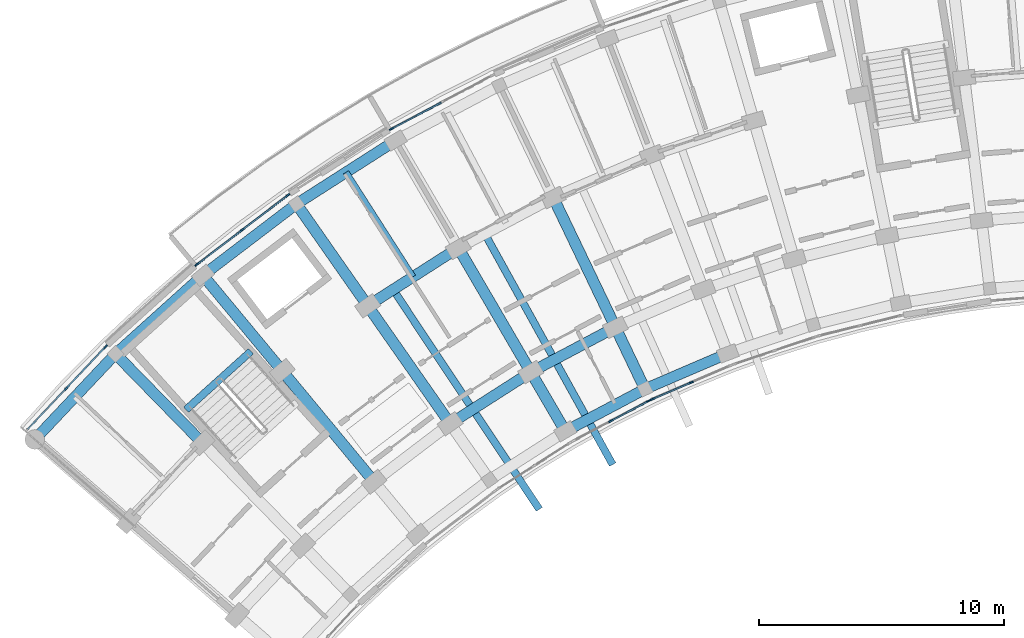
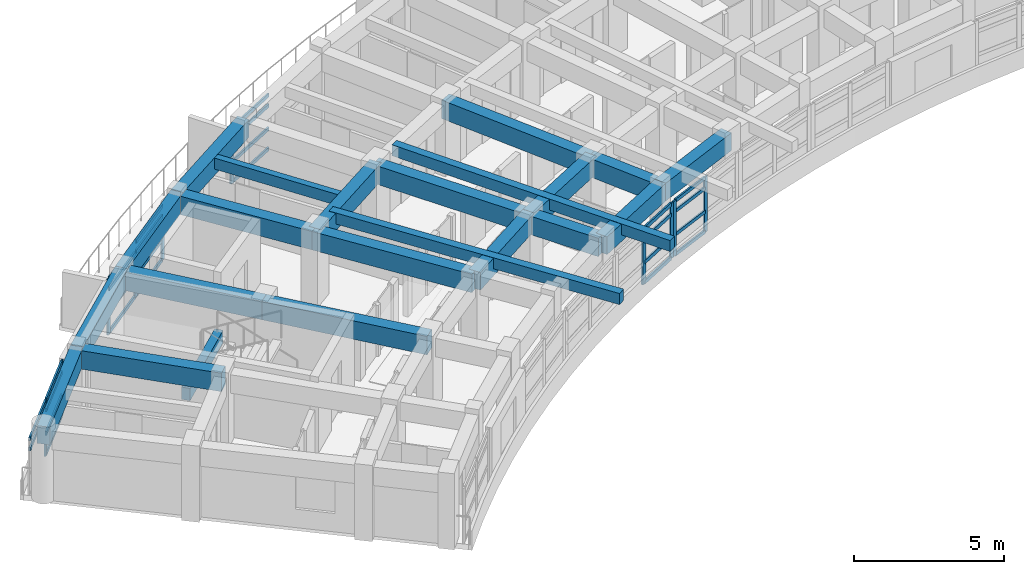
# One storey, part 15 of 70: 36 members, 22 beams, 5 elements without a shape of their own.
"""IFC4 building model written with IfcOpenShell, lengths in metres."""

from ifc_helpers import new_model, si_unit, direction, frame, origin, origin_2d, place, context, subcontext, project, spatial, rectangle, extrude, material, material_profile, profile_set, type_object, element, aggregate, save


model = new_model("IFC4")

# Units and contexts
model_context = context("Model", 3, precision=1e-05, world=origin(), true_north=direction((0.0, 1.0)))
body_context = subcontext(model_context, "Body", "Model", "MODEL_VIEW")
ifc_project = project(units=[si_unit("LENGTHUNIT", "METRE"), si_unit("AREAUNIT", "SQUARE_METRE"), si_unit("VOLUMEUNIT", "CUBIC_METRE"), si_unit("PLANEANGLEUNIT", "RADIAN"), si_unit("MASSUNIT", "GRAM", prefix="KILO")], contexts=[model_context])

# Site, building, storey
site_placement = place(None, origin())
site = spatial("IfcSite", under=ifc_project, at=site_placement, CompositionType="ELEMENT")
building_placement = place(site_placement, origin())
building = spatial("IfcBuilding", under=site, at=building_placement, Name="Zimvara Arc Housing Community", CompositionType="ELEMENT")
storey_placement = place(building_placement, frame((0.0, 0.0, 8.10009765625)))
storey = spatial("IfcBuildingStorey", under=building, at=storey_placement, Name="L02", CompositionType="ELEMENT", Elevation=8.10009765625)

# Beams
ifc_material_1 = material(Name="Concrete C40/50", Category="concrete")
ifc_material_profile_1 = material_profile(ifc_material_1, rectangle(XDim=0.25, YDim=0.449951171875, at=origin_2d()), Name="RC 250x450")
ifc_profile_set_1 = profile_set([ifc_material_profile_1], Name="Concrete C40/50")
beam_type_1 = type_object("IfcBeamType", Name="BM-RC-250x450", PredefinedType="JOIST", material=ifc_profile_set_1)
beam_1_placement = place(storey_placement, frame((16.0224609375, 89.776123046875, 2.65478515625), z_axis=(-0.539052331508, 0.842272274206, 0.0), x_axis=(-0.842272274206, -0.539052331508, 0.0)))
element("IfcBeam", 1, at=beam_1_placement, inside=storey, type_object=beam_type_1, Name="bm:blkA:L02:joist:b3", PredefinedType="JOIST", context=body_context, shape_type="SweptSolid", body=[
    extrude(rectangle(XDim=0.25, YDim=0.449951171875, at=origin_2d()), origin(), (0.0, 0.0, 1.0), 5.07568359375),
])
ifc_material_2 = material(Name="Concrete C40/50", Category="concrete")
ifc_material_profile_2 = material_profile(ifc_material_2, rectangle(XDim=0.300048828125, YDim=0.449951171875, at=origin_2d()), Name="RC 300x450")
ifc_profile_set_2 = profile_set([ifc_material_profile_2], Name="Concrete C40/50")
beam_type_2 = type_object("IfcBeamType", Name="BM-RC-300x450", PredefinedType="JOIST", material=ifc_profile_set_2)
for number, where, z_axis, x_axis, name in (
    (2, (15.188720703125, 89.285400390625, 2.664794921875), (0.55411687771, -0.832438878139, 0.0), (0.832438878139, 0.55411687771, 0.0), "bm:blkA:L02:cant_in:b3"),
    (3, (18.942138671875, 91.568359375, 2.664794921875), (0.484356901768, -0.874870499965, 0.0), (0.874870499965, 0.484356901768, 0.0), "bm:blkA:L02:cant_in:b4"),
):
    element("IfcBeam", number, at=place(storey_placement, frame(where, z_axis=z_axis, x_axis=x_axis)), inside=storey, type_object=beam_type_2, Name=name, PredefinedType="JOIST", context=body_context, shape_type="SweptSolid", body=[
        extrude(rectangle(XDim=0.300048828125, YDim=0.449951171875, at=origin_2d()), origin(), (0.0, 0.0, 1.0), 10.820068359375),
    ])
ifc_material_3 = material(Name="Concrete C40/50", Category="concrete")
ifc_material_profile_3 = material_profile(ifc_material_3, rectangle(XDim=0.300048828125, YDim=0.5, at=origin_2d()), Name="RC 300x500")
ifc_profile_set_3 = profile_set([ifc_material_profile_3], Name="Concrete C40/50")
beam_type_3 = type_object("IfcBeamType", Name="BM-RC-300x500", PredefinedType="BEAM", material=ifc_profile_set_3)
beam_2_placement = place(storey_placement, frame((9.39990234375, 86.734375, 1.2998046875), z_axis=(-0.743362151162, -0.668889162881, 0.0), x_axis=(0.668889162881, -0.743362151162, 0.0)))
element("IfcBeam", 4, at=beam_2_placement, inside=storey, type_object=beam_type_3, Name="bm:stair_trim:ST-A1:L02:mid", PredefinedType="BEAM", context=body_context, shape_type="SweptSolid", body=[
    extrude(rectangle(XDim=0.300048828125, YDim=0.5, at=origin_2d()), origin(), (0.0, 0.0, 1.0), 3.570068359375),
])
ifc_material_4 = material(Name="Concrete C40/50", Category="concrete")
ifc_material_profile_4 = material_profile(ifc_material_4, rectangle(XDim=0.43994140625, YDim=0.719970703125, at=origin_2d()), Name="RC 440x720")
ifc_profile_set_4 = profile_set([ifc_material_profile_4], Name="Concrete C40/50")
beam_type_4 = type_object("IfcBeamType", Name="BM-RC-440x720", PredefinedType="BEAM", material=ifc_profile_set_4)
beam_3_placement = place(storey_placement, frame((22.249267578125, 83.46435546875, 2.52001953125), z_axis=(0.883449220086, 0.468526920815, 0.0), x_axis=(-0.468526920815, 0.883449220086, 0.0)))
element("IfcBeam", 5, at=beam_3_placement, inside=storey, type_object=beam_type_4, Name="bm:blkA:L02:chord:r0:b4", PredefinedType="BEAM", context=body_context, shape_type="SweptSolid", body=[
    extrude(rectangle(XDim=0.43994140625, YDim=0.719970703125, at=origin_2d()), origin(), (0.0, 0.0, 1.0), 3.6845703125),
])
beam_4_placement = place(storey_placement, frame((25.50439453125, 85.190673828125, 2.52001953125), z_axis=(0.918705736243, 0.394942742932, 0.0), x_axis=(-0.394942742932, 0.918705736243, 0.0)))
element("IfcBeam", 6, at=beam_4_placement, inside=storey, type_object=beam_type_4, Name="bm:blkA:L02:chord:r0:b5", PredefinedType="BEAM", context=body_context, shape_type="SweptSolid", body=[
    extrude(rectangle(XDim=0.43994140625, YDim=0.719970703125, at=origin_2d()), origin(), (0.0, 0.0, 1.0), 3.684326171875),
])
beam_5_placement = place(storey_placement, frame((17.541748046875, 83.77294921875, 2.52001953125), z_axis=(0.842253269878, 0.539082024724, 0.0), x_axis=(-0.539082024724, 0.842253269878, 0.0)))
element("IfcBeam", 7, at=beam_5_placement, inside=storey, type_object=beam_type_4, Name="bm:blkA:L02:chord:r1:b3", PredefinedType="BEAM", context=body_context, shape_type="SweptSolid", body=[
    extrude(rectangle(XDim=0.43994140625, YDim=0.719970703125, at=origin_2d()), origin(), (0.0, 0.0, 1.0), 3.912841796875),
])
beam_6_placement = place(storey_placement, frame((20.83740234375, 85.88232421875, 2.52001953125), z_axis=(0.883438625159, 0.468546897948, 0.0), x_axis=(-0.468546897948, 0.883438625159, 0.0)))
element("IfcBeam", 8, at=beam_6_placement, inside=storey, type_object=beam_type_4, Name="bm:blkA:L02:chord:r1:b4", PredefinedType="BEAM", context=body_context, shape_type="SweptSolid", body=[
    extrude(rectangle(XDim=0.43994140625, YDim=0.719970703125, at=origin_2d()), origin(), (0.0, 0.0, 1.0), 3.9130859375),
])
beam_7_placement = place(storey_placement, frame((14.17236328125, 88.591796875, 2.52001953125), z_axis=(0.842242131326, 0.539099427025, 0.0), x_axis=(-0.539099427025, 0.842242131326, 0.0)))
element("IfcBeam", 9, at=beam_7_placement, inside=storey, type_object=beam_type_4, Name="bm:blkA:L02:chord:r2:b3", PredefinedType="BEAM", context=body_context, shape_type="SweptSolid", body=[
    extrude(rectangle(XDim=0.43994140625, YDim=0.719970703125, at=origin_2d()), origin(), (0.0, 0.0, 1.0), 4.393310546875),
])
beam_8_placement = place(storey_placement, frame((0.562744140625, 83.128662109375, 2.52001953125), z_axis=(0.6862954451, 0.727322873307, 0.0), x_axis=(-0.727322873307, 0.6862954451, 0.0)))
element("IfcBeam", 10, at=beam_8_placement, inside=storey, type_object=beam_type_4, Name="bm:blkA:L02:chord:r3:b0", PredefinedType="BEAM", context=body_context, shape_type="SweptSolid", body=[
    extrude(rectangle(XDim=0.43994140625, YDim=0.719970703125, at=origin_2d()), origin(), (0.0, 0.0, 1.0), 4.80810546875),
])
beam_9_placement = place(storey_placement, frame((3.862548828125, 86.625732421875, 2.52001953125), z_axis=(0.743395133402, 0.668852506637, 0.0), x_axis=(-0.668852506637, 0.743395133402, 0.0)))
element("IfcBeam", 11, at=beam_9_placement, inside=storey, type_object=beam_type_4, Name="bm:blkA:L02:chord:r3:b1", PredefinedType="BEAM", context=body_context, shape_type="SweptSolid", body=[
    extrude(rectangle(XDim=0.43994140625, YDim=0.719970703125, at=origin_2d()), origin(), (0.0, 0.0, 1.0), 4.807861328125),
])
beam_10_placement = place(storey_placement, frame((7.436767578125, 89.841552734375, 2.52001953125), z_axis=(0.795480673672, 0.605978958228, 0.0), x_axis=(-0.605978958228, 0.795480673672, 0.0)))
element("IfcBeam", 12, at=beam_10_placement, inside=storey, type_object=beam_type_4, Name="bm:blkA:L02:chord:r3:b2", PredefinedType="BEAM", context=body_context, shape_type="SweptSolid", body=[
    extrude(rectangle(XDim=0.43994140625, YDim=0.719970703125, at=origin_2d()), origin(), (0.0, 0.0, 1.0), 4.80810546875),
])
beam_11_placement = place(storey_placement, frame((11.261474609375, 92.755126953125, 2.52001953125), z_axis=(0.842255724028, 0.539078190379, 0.0), x_axis=(-0.539078190379, 0.842255724028, 0.0)))
element("IfcBeam", 13, at=beam_11_placement, inside=storey, type_object=beam_type_4, Name="bm:blkA:L02:chord:r3:b3", PredefinedType="BEAM", context=body_context, shape_type="SweptSolid", body=[
    extrude(rectangle(XDim=0.43994140625, YDim=0.719970703125, at=origin_2d()), origin(), (0.0, 0.0, 1.0), 4.808349609375),
])
ifc_material_5 = material(Name="Concrete C40/50", Category="concrete")
ifc_material_profile_5 = material_profile(ifc_material_5, rectangle(XDim=0.449951171875, YDim=0.75, at=origin_2d()), Name="RC 450x750")
ifc_profile_set_5 = profile_set([ifc_material_profile_5], Name="Concrete C40/50")
beam_type_5 = type_object("IfcBeamType", Name="BM-RC-450x750", PredefinedType="BEAM", material=ifc_profile_set_5)
beam_12_placement = place(storey_placement, frame((7.411865234375, 82.9912109375, 2.5048828125), z_axis=(-0.698670885014, 0.71544321538, 0.0), x_axis=(-0.71544321538, -0.698670885014, 0.0)))
element("IfcBeam", 14, at=beam_12_placement, inside=storey, type_object=beam_type_5, Name="bm:blkA:L02:rad:b1:r23", PredefinedType="BEAM", context=body_context, shape_type="SweptSolid", body=[
    extrude(rectangle(XDim=0.449951171875, YDim=0.75, at=origin_2d()), origin(), (0.0, 0.0, 1.0), 5.080078125),
])
beam_13_placement = place(storey_placement, frame((14.428955078125, 81.401611328125, 2.5048828125), z_axis=(-0.637955964415, 0.770072845559, 0.0), x_axis=(-0.770072845559, -0.637955964415, 0.0)))
element("IfcBeam", 15, at=beam_13_placement, inside=storey, type_object=beam_type_5, Name="bm:blkA:L02:rad:b2:r12", PredefinedType="BEAM", context=body_context, shape_type="SweptSolid", body=[
    extrude(rectangle(XDim=0.449951171875, YDim=0.75, at=origin_2d()), origin(), (0.0, 0.0, 1.0), 5.880126953125),
])
beam_14_placement = place(storey_placement, frame((10.677734375, 85.9296875, 2.5048828125), z_axis=(-0.637983669165, 0.77004989311, 0.0), x_axis=(-0.77004989311, -0.637983669165, 0.0)))
element("IfcBeam", 16, at=beam_14_placement, inside=storey, type_object=beam_type_5, Name="bm:blkA:L02:rad:b2:r23", PredefinedType="BEAM", context=body_context, shape_type="SweptSolid", body=[
    extrude(rectangle(XDim=0.449951171875, YDim=0.75, at=origin_2d()), origin(), (0.0, 0.0, 1.0), 5.080078125),
])
beam_15_placement = place(storey_placement, frame((17.541748046875, 83.77294921875, 2.5048828125), z_axis=(-0.573027549978, 0.819536104736, 0.0), x_axis=(-0.819536104736, -0.573027549978, 0.0)))
element("IfcBeam", 17, at=beam_15_placement, inside=storey, type_object=beam_type_5, Name="bm:blkA:L02:rad:b3:r12", PredefinedType="BEAM", context=body_context, shape_type="SweptSolid", body=[
    extrude(rectangle(XDim=0.449951171875, YDim=0.75, at=origin_2d()), origin(), (0.0, 0.0, 1.0), 5.8798828125),
])
beam_16_placement = place(storey_placement, frame((14.17236328125, 88.591796875, 2.5048828125), z_axis=(-0.573007469479, 0.819550144848, 0.0), x_axis=(-0.819550144848, -0.573007469479, 0.0)))
element("IfcBeam", 18, at=beam_16_placement, inside=storey, type_object=beam_type_5, Name="bm:blkA:L02:rad:b3:r23", PredefinedType="BEAM", context=body_context, shape_type="SweptSolid", body=[
    extrude(rectangle(XDim=0.449951171875, YDim=0.75, at=origin_2d()), origin(), (0.0, 0.0, 1.0), 5.080078125),
])
beam_17_placement = place(storey_placement, frame((22.249267578125, 83.46435546875, 2.5048828125), z_axis=(-0.504239631668, 0.86356377521, 0.0), x_axis=(-0.86356377521, -0.504239631668, 0.0)))
element("IfcBeam", 19, at=beam_17_placement, inside=storey, type_object=beam_type_5, Name="bm:blkA:L02:rad:b4:r01", PredefinedType="BEAM", context=body_context, shape_type="SweptSolid", body=[
    extrude(rectangle(XDim=0.449951171875, YDim=0.75, at=origin_2d()), origin(), (0.0, 0.0, 1.0), 2.800048828125),
])
beam_18_placement = place(storey_placement, frame((20.83740234375, 85.88232421875, 2.5048828125), z_axis=(-0.504219494781, 0.863575532934, 0.0), x_axis=(-0.863575532934, -0.504219494781, 0.0)))
element("IfcBeam", 20, at=beam_18_placement, inside=storey, type_object=beam_type_5, Name="bm:blkA:L02:rad:b4:r12", PredefinedType="BEAM", context=body_context, shape_type="SweptSolid", body=[
    extrude(rectangle(XDim=0.449951171875, YDim=0.75, at=origin_2d()), origin(), (0.0, 0.0, 1.0), 5.880126953125),
])
beam_19_placement = place(storey_placement, frame((25.50439453125, 85.190673828125, 2.5048828125), z_axis=(-0.432118703138, 0.901816736593, 0.0), x_axis=(-0.901816736593, -0.432118703138, 0.0)))
element("IfcBeam", 21, at=beam_19_placement, inside=storey, type_object=beam_type_5, Name="bm:blkA:L02:rad:b5:r01", PredefinedType="BEAM", context=body_context, shape_type="SweptSolid", body=[
    extrude(rectangle(XDim=0.449951171875, YDim=0.75, at=origin_2d()), origin(), (0.0, 0.0, 1.0), 2.800048828125),
])
beam_20_placement = place(storey_placement, frame((24.29443359375, 87.7158203125, 2.5048828125), z_axis=(-0.432069527705, 0.901840298073, 0.0), x_axis=(-0.901840298073, -0.432069527705, 0.0)))
element("IfcBeam", 22, at=beam_20_placement, inside=storey, type_object=beam_type_5, Name="bm:blkA:L02:rad:b5:r12", PredefinedType="BEAM", context=body_context, shape_type="SweptSolid", body=[
    extrude(rectangle(XDim=0.449951171875, YDim=0.75, at=origin_2d()), origin(), (0.0, 0.0, 1.0), 5.8798828125),
])

# Curtain wall, member
ifc_material_6 = material(Name="Anodised Aluminium AW-6063", Category="aluminium")
curtain_wall_type_1 = type_object("IfcCurtainWallType", Name="CW-SYS-06", PredefinedType="USERDEFINED", material=ifc_material_6)
curtain_wall_1_placement = place(storey_placement, origin())
curtain_wall_1 = element("IfcCurtainWall", 23, at=curtain_wall_1_placement, inside=storey, type_object=curtain_wall_type_1, Name="cw:blkA:L02:out:b4", ObjectType="CURTAIN WALL", PredefinedType="USERDEFINED")
ifc_material_7 = material(Name="Anodised Aluminium AW-6063", Category="aluminium")
ifc_material_profile_6 = material_profile(ifc_material_7, rectangle(XDim=0.06494140625, YDim=0.179931640625, at=origin_2d()), Name="ALU 65x180")
ifc_profile_set_6 = profile_set([ifc_material_profile_6], Name="Anodised Aluminium AW-6063")
member_type_1 = type_object("IfcMemberType", Name="CWM-65x150", PredefinedType="MULLION", material=ifc_profile_set_6)
member_1_placement = place(storey_placement, frame((15.140869140625, 95.822265625, 0.0), z_axis=(0.0, 0.0, 1.0), x_axis=(-0.468546917761, 0.883438614651, 0.0)))
member_1 = element("IfcMember", 24, at=member_1_placement, type_object=member_type_1, Name="CW06 mullion 1", PredefinedType="MULLION", context=body_context, shape_type="SweptSolid", body=[
    extrude(rectangle(XDim=0.06494140625, YDim=0.179931640625, at=origin_2d()), origin(), (0.0, 0.0, 1.0), 2.25),
])

# Curtain wall, members
ifc_material_8 = material(Name="Anodised Aluminium AW-6063", Category="aluminium")
curtain_wall_type_2 = type_object("IfcCurtainWallType", Name="CW-SYS-08", PredefinedType="USERDEFINED", material=ifc_material_8)
curtain_wall_2_placement = place(storey_placement, origin())
curtain_wall_2 = element("IfcCurtainWall", 25, at=curtain_wall_2_placement, inside=storey, type_object=curtain_wall_type_2, Name="cw:blkA:L02:in:b5", ObjectType="CURTAIN WALL", PredefinedType="USERDEFINED")
member_2_placement = place(storey_placement, frame((25.805419921875, 84.7763671875, 0.0), z_axis=(0.0, 0.0, 1.0), x_axis=(-0.394904493375, 0.918722178415, 0.0)))
member_2 = element("IfcMember", 26, at=member_2_placement, type_object=member_type_1, Name="CW08 mullion 1", PredefinedType="MULLION", context=body_context, shape_type="SweptSolid", body=[
    extrude(rectangle(XDim=0.06494140625, YDim=0.179931640625, at=origin_2d()), origin(), (0.0, 0.0, 1.0), 2.25),
])
member_3_placement = place(storey_placement, frame((27.39404296875, 85.459228515625, 0.0), z_axis=(0.0, 0.0, 1.0), x_axis=(-0.394904493375, 0.918722178415, 0.0)))
member_3 = element("IfcMember", 27, at=member_3_placement, type_object=member_type_1, Name="CW08 mullion 2", PredefinedType="MULLION", context=body_context, shape_type="SweptSolid", body=[
    extrude(rectangle(XDim=0.06494140625, YDim=0.179931640625, at=origin_2d()), origin(), (0.0, 0.0, 1.0), 2.25),
])

ifc_material_9 = material(Name="Anodised Aluminium AW-6063", Category="aluminium")
curtain_wall_type_3 = type_object("IfcCurtainWallType", Name="CW-SYS-01", PredefinedType="USERDEFINED", material=ifc_material_9)
curtain_wall_3_placement = place(storey_placement, origin())
curtain_wall_3 = element("IfcCurtainWall", 28, at=curtain_wall_3_placement, inside=storey, type_object=curtain_wall_type_3, Name="cw:blkA:L02:out:b0", ObjectType="CURTAIN WALL", PredefinedType="USERDEFINED")
ifc_material_10 = material(Name="Anodised Aluminium AW-6063", Category="aluminium")
ifc_material_profile_7 = material_profile(ifc_material_10, rectangle(XDim=0.06494140625, YDim=0.195068359375, at=origin_2d()), Name="ALU 65x195")
ifc_profile_set_7 = profile_set([ifc_material_profile_7], Name="Anodised Aluminium AW-6063")
member_type_2 = type_object("IfcMemberType", Name="CWM-65x180", PredefinedType="MULLION", material=ifc_profile_set_7)
member_4_placement = place(storey_placement, frame((1.849365234375, 85.219970703125, 0.0), z_axis=(0.0, 0.0, 1.0), x_axis=(-0.727293647725, 0.686326416495, 0.0)))
member_4 = element("IfcMember", 29, at=member_4_placement, type_object=member_type_2, Name="CW01 mullion 2", PredefinedType="MULLION", context=body_context, shape_type="SweptSolid", body=[
    extrude(rectangle(XDim=0.06494140625, YDim=0.195068359375, at=origin_2d()), origin(), (0.0, 0.0, 1.0), 2.25),
])
member_5_placement = place(storey_placement, frame((3.44970703125, 86.916015625, 0.0), z_axis=(0.0, 0.0, 1.0), x_axis=(-0.727293647725, 0.686326416495, 0.0)))
member_5 = element("IfcMember", 30, at=member_5_placement, type_object=member_type_2, Name="CW01 mullion 3", PredefinedType="MULLION", context=body_context, shape_type="SweptSolid", body=[
    extrude(rectangle(XDim=0.06494140625, YDim=0.195068359375, at=origin_2d()), origin(), (0.0, 0.0, 1.0), 2.25),
])

ifc_material_11 = material(Name="Anodised Aluminium AW-6063", Category="aluminium")
curtain_wall_type_4 = type_object("IfcCurtainWallType", Name="CW-SYS-03", PredefinedType="USERDEFINED", material=ifc_material_11)
curtain_wall_4_placement = place(storey_placement, origin())
curtain_wall_4 = element("IfcCurtainWall", 31, at=curtain_wall_4_placement, inside=storey, type_object=curtain_wall_type_4, Name="cw:blkA:L02:out:b2", ObjectType="CURTAIN WALL", PredefinedType="USERDEFINED")
member_6_placement = place(storey_placement, frame((7.19140625, 90.28271484375, 0.0), z_axis=(0.0, 0.0, 1.0), x_axis=(-0.60598771987, 0.795473999177, 0.0)))
member_6 = element("IfcMember", 32, at=member_6_placement, type_object=member_type_2, Name="CW03 mullion 1", PredefinedType="MULLION", context=body_context, shape_type="SweptSolid", body=[
    extrude(rectangle(XDim=0.06494140625, YDim=0.195068359375, at=origin_2d()), origin(), (0.0, 0.0, 1.0), 2.25),
])
member_7_placement = place(storey_placement, frame((9.04638671875, 91.69580078125, 0.0), z_axis=(0.0, 0.0, 1.0), x_axis=(-0.60598771987, 0.795473999177, 0.0)))
member_7 = element("IfcMember", 33, at=member_7_placement, type_object=member_type_2, Name="CW03 mullion 2", PredefinedType="MULLION", context=body_context, shape_type="SweptSolid", body=[
    extrude(rectangle(XDim=0.06494140625, YDim=0.195068359375, at=origin_2d()), origin(), (0.0, 0.0, 1.0), 2.25),
])
member_8_placement = place(storey_placement, frame((10.9013671875, 93.10888671875, 0.0), z_axis=(0.0, 0.0, 1.0), x_axis=(-0.60598771987, 0.795473999177, 0.0)))
member_8 = element("IfcMember", 34, at=member_8_placement, type_object=member_type_2, Name="CW03 mullion 3", PredefinedType="MULLION", context=body_context, shape_type="SweptSolid", body=[
    extrude(rectangle(XDim=0.06494140625, YDim=0.195068359375, at=origin_2d()), origin(), (0.0, 0.0, 1.0), 2.25),
])

ifc_material_12 = material(Name="Anodised Aluminium AW-6063", Category="aluminium")
curtain_wall_type_5 = type_object("IfcCurtainWallType", Name="CW-SYS-07", PredefinedType="USERDEFINED", material=ifc_material_12)
curtain_wall_5_placement = place(storey_placement, origin())
curtain_wall_5 = element("IfcCurtainWall", 35, at=curtain_wall_5_placement, inside=storey, type_object=curtain_wall_type_5, Name="cw:blkA:L02:in:b4", ObjectType="CURTAIN WALL", PredefinedType="USERDEFINED")
member_9_placement = place(storey_placement, frame((24.11083984375, 83.88623046875, 0.0), z_axis=(0.0, 0.0, 1.0), x_axis=(-0.468544648573, 0.88343981815, 0.0)))
member_9 = element("IfcMember", 36, at=member_9_placement, type_object=member_type_2, Name="CW07 mullion 2", PredefinedType="MULLION", context=body_context, shape_type="SweptSolid", body=[
    extrude(rectangle(XDim=0.06494140625, YDim=0.195068359375, at=origin_2d()), origin(), (0.0, 0.0, 1.0), 2.25),
])
member_10_placement = place(storey_placement, frame((25.638671875, 84.696533203125, 0.0), z_axis=(0.0, 0.0, 1.0), x_axis=(-0.468544648573, 0.88343981815, 0.0)))
member_10 = element("IfcMember", 37, at=member_10_placement, type_object=member_type_2, Name="CW07 mullion 3", PredefinedType="MULLION", context=body_context, shape_type="SweptSolid", body=[
    extrude(rectangle(XDim=0.06494140625, YDim=0.195068359375, at=origin_2d()), origin(), (0.0, 0.0, 1.0), 2.25),
])

# Member
ifc_material_13 = material(Name="Anodised Aluminium AW-6063", Category="aluminium")
ifc_material_profile_8 = material_profile(ifc_material_13, rectangle(XDim=0.06494140625, YDim=0.139892578125, at=origin_2d()), Name="ALU 65x140")
ifc_profile_set_8 = profile_set([ifc_material_profile_8], Name="Anodised Aluminium AW-6063")
member_type_3 = type_object("IfcMemberType", Name="CWT-65x120", PredefinedType="USERDEFINED", material=ifc_profile_set_8)
member_11_placement = place(storey_placement, frame((15.16943359375, 95.83740234375, 0.032470703125), z_axis=(0.883420900208, 0.468580316568, 0.0), x_axis=(-0.468580316568, 0.883420900208, 0.0)))
member_11 = element("IfcMember", 38, at=member_11_placement, type_object=member_type_3, Name="CW06 transom 1.1", ObjectType="TRANSOM", PredefinedType="USERDEFINED", context=body_context, shape_type="SweptSolid", body=[
    extrude(rectangle(XDim=0.06494140625, YDim=0.139892578125, at=origin_2d()), origin(), (0.0, 0.0, 1.0), 2.266845703125),
])

member_12_placement = place(storey_placement, frame((15.16943359375, 95.83740234375, 0.849853515625), z_axis=(0.883420900208, 0.468580316568, 0.0), x_axis=(-0.468580316568, 0.883420900208, 0.0)))
member_12 = element("IfcMember", 39, at=member_12_placement, type_object=member_type_3, Name="CW06 transom 1.2", ObjectType="TRANSOM", PredefinedType="USERDEFINED", context=body_context, shape_type="SweptSolid", body=[
    extrude(rectangle(XDim=0.06494140625, YDim=0.139892578125, at=origin_2d()), origin(), (0.0, 0.0, 1.0), 2.266845703125),
])

member_13_placement = place(storey_placement, frame((15.16943359375, 95.83740234375, 1.7998046875), z_axis=(0.883420900208, 0.468580316568, 0.0), x_axis=(-0.468580316568, 0.883420900208, 0.0)))
member_13 = element("IfcMember", 40, at=member_13_placement, type_object=member_type_3, Name="CW06 transom 1.3", ObjectType="TRANSOM", PredefinedType="USERDEFINED", context=body_context, shape_type="SweptSolid", body=[
    extrude(rectangle(XDim=0.06494140625, YDim=0.139892578125, at=origin_2d()), origin(), (0.0, 0.0, 1.0), 2.266845703125),
])

member_14_placement = place(storey_placement, frame((15.16943359375, 95.83740234375, 2.21728515625), z_axis=(0.883420900208, 0.468580316568, 0.0), x_axis=(-0.468580316568, 0.883420900208, 0.0)))
member_14 = element("IfcMember", 41, at=member_14_placement, type_object=member_type_3, Name="CW06 transom 1.4", ObjectType="TRANSOM", PredefinedType="USERDEFINED", context=body_context, shape_type="SweptSolid", body=[
    extrude(rectangle(XDim=0.06494140625, YDim=0.139892578125, at=origin_2d()), origin(), (0.0, 0.0, 1.0), 2.266845703125),
])

aggregate(curtain_wall_1, [member_1, member_11, member_12, member_13, member_14])

member_15_placement = place(storey_placement, frame((25.835205078125, 84.7890625, 0.032470703125), z_axis=(0.918727202972, 0.394892803832, 0.0), x_axis=(-0.394892803832, 0.918727202972, 0.0)))
member_15 = element("IfcMember", 42, at=member_15_placement, type_object=member_type_3, Name="CW08 transom 1.1", ObjectType="TRANSOM", PredefinedType="USERDEFINED", context=body_context, shape_type="SweptSolid", body=[
    extrude(rectangle(XDim=0.06494140625, YDim=0.139892578125, at=origin_2d()), origin(), (0.0, 0.0, 1.0), 1.664306640625),
])

member_16_placement = place(storey_placement, frame((25.835205078125, 84.7890625, 0.849853515625), z_axis=(0.918727202972, 0.394892803832, 0.0), x_axis=(-0.394892803832, 0.918727202972, 0.0)))
member_16 = element("IfcMember", 43, at=member_16_placement, type_object=member_type_3, Name="CW08 transom 1.2", ObjectType="TRANSOM", PredefinedType="USERDEFINED", context=body_context, shape_type="SweptSolid", body=[
    extrude(rectangle(XDim=0.06494140625, YDim=0.139892578125, at=origin_2d()), origin(), (0.0, 0.0, 1.0), 1.664306640625),
])

member_17_placement = place(storey_placement, frame((25.835205078125, 84.7890625, 1.7998046875), z_axis=(0.918727202972, 0.394892803832, 0.0), x_axis=(-0.394892803832, 0.918727202972, 0.0)))
member_17 = element("IfcMember", 44, at=member_17_placement, type_object=member_type_3, Name="CW08 transom 1.3", ObjectType="TRANSOM", PredefinedType="USERDEFINED", context=body_context, shape_type="SweptSolid", body=[
    extrude(rectangle(XDim=0.06494140625, YDim=0.139892578125, at=origin_2d()), origin(), (0.0, 0.0, 1.0), 1.664306640625),
])

member_18_placement = place(storey_placement, frame((25.835205078125, 84.7890625, 2.21728515625), z_axis=(0.918727202972, 0.394892803832, 0.0), x_axis=(-0.394892803832, 0.918727202972, 0.0)))
member_18 = element("IfcMember", 45, at=member_18_placement, type_object=member_type_3, Name="CW08 transom 1.4", ObjectType="TRANSOM", PredefinedType="USERDEFINED", context=body_context, shape_type="SweptSolid", body=[
    extrude(rectangle(XDim=0.06494140625, YDim=0.139892578125, at=origin_2d()), origin(), (0.0, 0.0, 1.0), 1.664306640625),
])

aggregate(curtain_wall_2, [member_2, member_3, member_15, member_16, member_17, member_18])

ifc_material_14 = material(Name="Anodised Aluminium AW-6063", Category="aluminium")
ifc_material_profile_9 = material_profile(ifc_material_14, rectangle(XDim=0.06494140625, YDim=0.155029296875, at=origin_2d()), Name="ALU 65x155")
ifc_profile_set_9 = profile_set([ifc_material_profile_9], Name="Anodised Aluminium AW-6063")
member_type_4 = type_object("IfcMemberType", Name="CWT-65x140", PredefinedType="USERDEFINED", material=ifc_profile_set_9)
member_19_placement = place(storey_placement, frame((0.271240234375, 83.547607421875, 1.7998046875), z_axis=(0.68623762882, 0.727377423894, 0.0), x_axis=(-0.727377423894, 0.68623762882, 0.0)))
member_19 = element("IfcMember", 46, at=member_19_placement, type_object=member_type_4, Name="CW01 transom 1.3", ObjectType="TRANSOM", PredefinedType="USERDEFINED", context=body_context, shape_type="SweptSolid", body=[
    extrude(rectangle(XDim=0.06494140625, YDim=0.155029296875, at=origin_2d()), origin(), (0.0, 0.0, 1.0), 2.266845703125),
])

member_20_placement = place(storey_placement, frame((0.271240234375, 83.547607421875, 2.21728515625), z_axis=(0.68623762882, 0.727377423894, 0.0), x_axis=(-0.727377423894, 0.68623762882, 0.0)))
member_20 = element("IfcMember", 47, at=member_20_placement, type_object=member_type_4, Name="CW01 transom 1.4", ObjectType="TRANSOM", PredefinedType="USERDEFINED", context=body_context, shape_type="SweptSolid", body=[
    extrude(rectangle(XDim=0.06494140625, YDim=0.155029296875, at=origin_2d()), origin(), (0.0, 0.0, 1.0), 2.266845703125),
])

member_21_placement = place(storey_placement, frame((1.87158203125, 85.24365234375, 0.032470703125), z_axis=(0.686348357589, 0.727272941911, 0.0), x_axis=(-0.727272941911, 0.686348357589, 0.0)))
member_21 = element("IfcMember", 48, at=member_21_placement, type_object=member_type_4, Name="CW01 transom 2.1", ObjectType="TRANSOM", PredefinedType="USERDEFINED", context=body_context, shape_type="SweptSolid", body=[
    extrude(rectangle(XDim=0.06494140625, YDim=0.155029296875, at=origin_2d()), origin(), (0.0, 0.0, 1.0), 2.266845703125),
])

member_22_placement = place(storey_placement, frame((1.87158203125, 85.24365234375, 0.849853515625), z_axis=(0.686348357589, 0.727272941911, 0.0), x_axis=(-0.727272941911, 0.686348357589, 0.0)))
member_22 = element("IfcMember", 49, at=member_22_placement, type_object=member_type_4, Name="CW01 transom 2.2", ObjectType="TRANSOM", PredefinedType="USERDEFINED", context=body_context, shape_type="SweptSolid", body=[
    extrude(rectangle(XDim=0.06494140625, YDim=0.155029296875, at=origin_2d()), origin(), (0.0, 0.0, 1.0), 2.266845703125),
])

member_23_placement = place(storey_placement, frame((1.87158203125, 85.24365234375, 1.7998046875), z_axis=(0.686348357589, 0.727272941911, 0.0), x_axis=(-0.727272941911, 0.686348357589, 0.0)))
member_23 = element("IfcMember", 50, at=member_23_placement, type_object=member_type_4, Name="CW01 transom 2.3", ObjectType="TRANSOM", PredefinedType="USERDEFINED", context=body_context, shape_type="SweptSolid", body=[
    extrude(rectangle(XDim=0.06494140625, YDim=0.155029296875, at=origin_2d()), origin(), (0.0, 0.0, 1.0), 2.266845703125),
])

member_24_placement = place(storey_placement, frame((1.87158203125, 85.24365234375, 2.21728515625), z_axis=(0.686348357589, 0.727272941911, 0.0), x_axis=(-0.727272941911, 0.686348357589, 0.0)))
member_24 = element("IfcMember", 51, at=member_24_placement, type_object=member_type_4, Name="CW01 transom 2.4", ObjectType="TRANSOM", PredefinedType="USERDEFINED", context=body_context, shape_type="SweptSolid", body=[
    extrude(rectangle(XDim=0.06494140625, YDim=0.155029296875, at=origin_2d()), origin(), (0.0, 0.0, 1.0), 2.266845703125),
])

aggregate(curtain_wall_3, [member_4, member_5, member_19, member_20, member_21, member_22, member_23, member_24])

member_25_placement = place(storey_placement, frame((7.21728515625, 90.302490234375, 0.032470703125), z_axis=(0.795505886513, 0.605945859399, 0.0), x_axis=(-0.605945859399, 0.795505886513, 0.0)))
member_25 = element("IfcMember", 52, at=member_25_placement, type_object=member_type_4, Name="CW03 transom 1.1", ObjectType="TRANSOM", PredefinedType="USERDEFINED", context=body_context, shape_type="SweptSolid", body=[
    extrude(rectangle(XDim=0.06494140625, YDim=0.155029296875, at=origin_2d()), origin(), (0.0, 0.0, 1.0), 2.266845703125),
])

member_26_placement = place(storey_placement, frame((7.21728515625, 90.302490234375, 0.849853515625), z_axis=(0.795505886513, 0.605945859399, 0.0), x_axis=(-0.605945859399, 0.795505886513, 0.0)))
member_26 = element("IfcMember", 53, at=member_26_placement, type_object=member_type_4, Name="CW03 transom 1.2", ObjectType="TRANSOM", PredefinedType="USERDEFINED", context=body_context, shape_type="SweptSolid", body=[
    extrude(rectangle(XDim=0.06494140625, YDim=0.155029296875, at=origin_2d()), origin(), (0.0, 0.0, 1.0), 2.266845703125),
])

member_27_placement = place(storey_placement, frame((7.21728515625, 90.302490234375, 1.7998046875), z_axis=(0.795505886513, 0.605945859399, 0.0), x_axis=(-0.605945859399, 0.795505886513, 0.0)))
member_27 = element("IfcMember", 54, at=member_27_placement, type_object=member_type_4, Name="CW03 transom 1.3", ObjectType="TRANSOM", PredefinedType="USERDEFINED", context=body_context, shape_type="SweptSolid", body=[
    extrude(rectangle(XDim=0.06494140625, YDim=0.155029296875, at=origin_2d()), origin(), (0.0, 0.0, 1.0), 2.266845703125),
])

member_28_placement = place(storey_placement, frame((7.21728515625, 90.302490234375, 2.21728515625), z_axis=(0.795505886513, 0.605945859399, 0.0), x_axis=(-0.605945859399, 0.795505886513, 0.0)))
member_28 = element("IfcMember", 55, at=member_28_placement, type_object=member_type_4, Name="CW03 transom 1.4", ObjectType="TRANSOM", PredefinedType="USERDEFINED", context=body_context, shape_type="SweptSolid", body=[
    extrude(rectangle(XDim=0.06494140625, YDim=0.155029296875, at=origin_2d()), origin(), (0.0, 0.0, 1.0), 2.266845703125),
])

member_29_placement = place(storey_placement, frame((9.072265625, 91.715576171875, 0.032470703125), z_axis=(0.795453969776, 0.606014011363, 0.0), x_axis=(-0.606014011363, 0.795453969776, 0.0)))
member_29 = element("IfcMember", 56, at=member_29_placement, type_object=member_type_4, Name="CW03 transom 2.1", ObjectType="TRANSOM", PredefinedType="USERDEFINED", context=body_context, shape_type="SweptSolid", body=[
    extrude(rectangle(XDim=0.06494140625, YDim=0.155029296875, at=origin_2d()), origin(), (0.0, 0.0, 1.0), 2.266845703125),
])

member_30_placement = place(storey_placement, frame((9.072265625, 91.715576171875, 0.849853515625), z_axis=(0.795453969776, 0.606014011363, 0.0), x_axis=(-0.606014011363, 0.795453969776, 0.0)))
member_30 = element("IfcMember", 57, at=member_30_placement, type_object=member_type_4, Name="CW03 transom 2.2", ObjectType="TRANSOM", PredefinedType="USERDEFINED", context=body_context, shape_type="SweptSolid", body=[
    extrude(rectangle(XDim=0.06494140625, YDim=0.155029296875, at=origin_2d()), origin(), (0.0, 0.0, 1.0), 2.266845703125),
])

member_31_placement = place(storey_placement, frame((9.072265625, 91.715576171875, 1.7998046875), z_axis=(0.795453969776, 0.606014011363, 0.0), x_axis=(-0.606014011363, 0.795453969776, 0.0)))
member_31 = element("IfcMember", 58, at=member_31_placement, type_object=member_type_4, Name="CW03 transom 2.3", ObjectType="TRANSOM", PredefinedType="USERDEFINED", context=body_context, shape_type="SweptSolid", body=[
    extrude(rectangle(XDim=0.06494140625, YDim=0.155029296875, at=origin_2d()), origin(), (0.0, 0.0, 1.0), 2.266845703125),
])

member_32_placement = place(storey_placement, frame((9.072265625, 91.715576171875, 2.21728515625), z_axis=(0.795453969776, 0.606014011363, 0.0), x_axis=(-0.606014011363, 0.795453969776, 0.0)))
member_32 = element("IfcMember", 59, at=member_32_placement, type_object=member_type_4, Name="CW03 transom 2.4", ObjectType="TRANSOM", PredefinedType="USERDEFINED", context=body_context, shape_type="SweptSolid", body=[
    extrude(rectangle(XDim=0.06494140625, YDim=0.155029296875, at=origin_2d()), origin(), (0.0, 0.0, 1.0), 2.266845703125),
])

aggregate(curtain_wall_4, [member_6, member_7, member_8, member_25, member_26, member_27, member_28, member_29, member_30, member_31, member_32])

member_33_placement = place(storey_placement, frame((24.1396484375, 83.9013671875, 0.032470703125), z_axis=(0.8834308201, 0.468561613982, 0.0), x_axis=(-0.468561613982, 0.8834308201, 0.0)))
member_33 = element("IfcMember", 60, at=member_33_placement, type_object=member_type_4, Name="CW07 transom 2.1", ObjectType="TRANSOM", PredefinedType="USERDEFINED", context=body_context, shape_type="SweptSolid", body=[
    extrude(rectangle(XDim=0.06494140625, YDim=0.155029296875, at=origin_2d()), origin(), (0.0, 0.0, 1.0), 1.664306640625),
])

member_34_placement = place(storey_placement, frame((24.1396484375, 83.9013671875, 0.849853515625), z_axis=(0.8834308201, 0.468561613982, 0.0), x_axis=(-0.468561613982, 0.8834308201, 0.0)))
member_34 = element("IfcMember", 61, at=member_34_placement, type_object=member_type_4, Name="CW07 transom 2.2", ObjectType="TRANSOM", PredefinedType="USERDEFINED", context=body_context, shape_type="SweptSolid", body=[
    extrude(rectangle(XDim=0.06494140625, YDim=0.155029296875, at=origin_2d()), origin(), (0.0, 0.0, 1.0), 1.664306640625),
])

member_35_placement = place(storey_placement, frame((24.1396484375, 83.9013671875, 1.7998046875), z_axis=(0.8834308201, 0.468561613982, 0.0), x_axis=(-0.468561613982, 0.8834308201, 0.0)))
member_35 = element("IfcMember", 62, at=member_35_placement, type_object=member_type_4, Name="CW07 transom 2.3", ObjectType="TRANSOM", PredefinedType="USERDEFINED", context=body_context, shape_type="SweptSolid", body=[
    extrude(rectangle(XDim=0.06494140625, YDim=0.155029296875, at=origin_2d()), origin(), (0.0, 0.0, 1.0), 1.664306640625),
])

member_36_placement = place(storey_placement, frame((24.1396484375, 83.9013671875, 2.21728515625), z_axis=(0.8834308201, 0.468561613982, 0.0), x_axis=(-0.468561613982, 0.8834308201, 0.0)))
member_36 = element("IfcMember", 63, at=member_36_placement, type_object=member_type_4, Name="CW07 transom 2.4", ObjectType="TRANSOM", PredefinedType="USERDEFINED", context=body_context, shape_type="SweptSolid", body=[
    extrude(rectangle(XDim=0.06494140625, YDim=0.155029296875, at=origin_2d()), origin(), (0.0, 0.0, 1.0), 1.664306640625),
])

aggregate(curtain_wall_5, [member_9, member_10, member_33, member_34, member_35, member_36])

save(model, "model.ifc")
